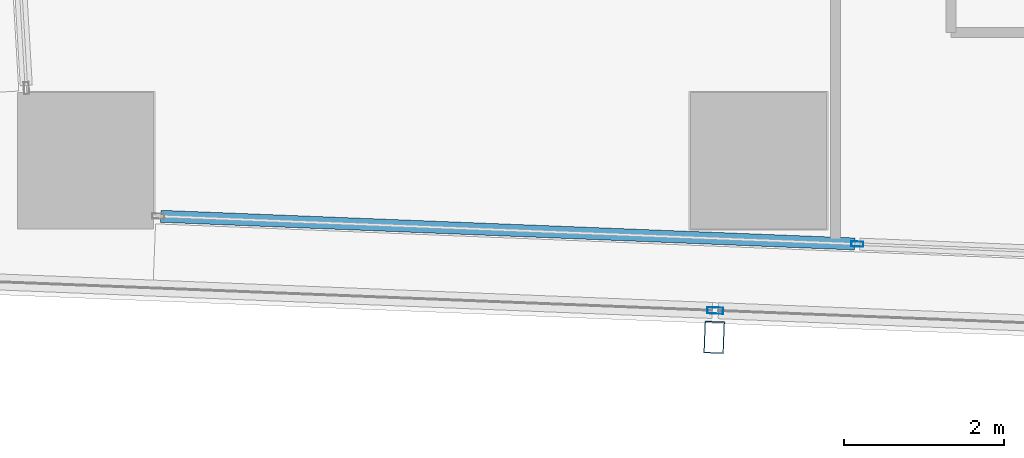
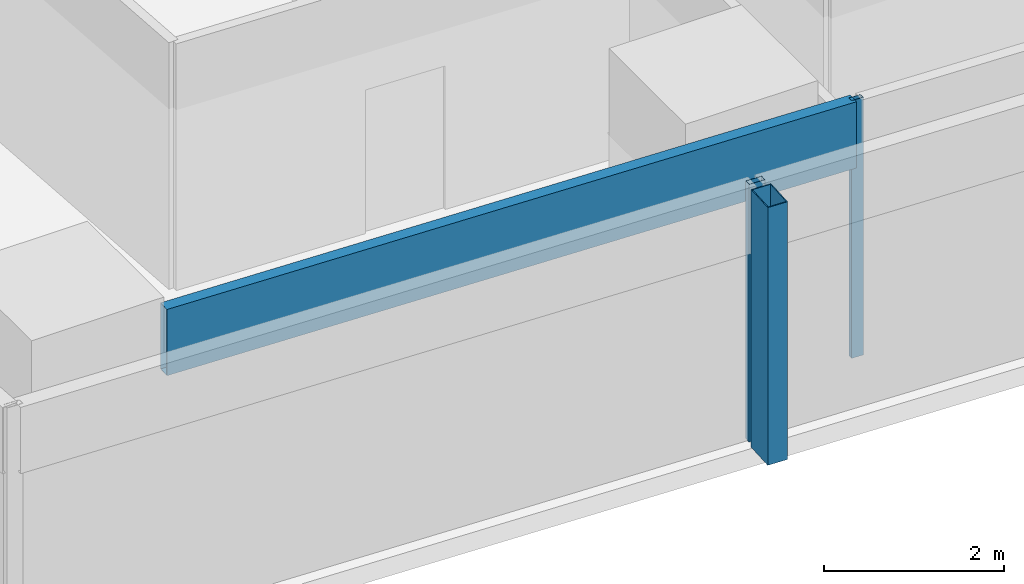
# One storey, part 3 of 39: 4 members, 2 elements without a shape of their own.
"""IFC4 building model written with IfcOpenShell, lengths in metres."""

from ifc_helpers import new_model, si_unit, direction, frame, origin, origin_2d, place, context, subcontext, project, spatial, hollow_rectangle, extrude, material, material_profile, profile_set, type_object, element, aggregate, save


model = new_model("IFC4")

# Units and contexts
model_context = context("Model", 3, precision=1e-05, world=origin(), true_north=direction((0.0, 1.0)))
body_context = subcontext(model_context, "Body", "Model", "MODEL_VIEW")
ifc_project = project(units=[si_unit("LENGTHUNIT", "METRE"), si_unit("AREAUNIT", "SQUARE_METRE"), si_unit("VOLUMEUNIT", "CUBIC_METRE"), si_unit("PLANEANGLEUNIT", "RADIAN"), si_unit("MASSUNIT", "GRAM", prefix="KILO")], contexts=[model_context])

# Site, building, storey
site_placement = place(None, origin())
site = spatial("IfcSite", under=ifc_project, at=site_placement, CompositionType="ELEMENT")
building_placement = place(site_placement, origin())
building = spatial("IfcBuilding", under=site, at=building_placement, Name="Rekha Terrace Tower", CompositionType="ELEMENT")
storey_placement = place(building_placement, frame((0.0, 0.0, 183.949951171875)))
storey = spatial("IfcBuildingStorey", under=building, at=storey_placement, Name="L46", CompositionType="ELEMENT", Elevation=183.949951171875)

# Curtain wall, member
ifc_material_1 = material(Name="Aluminium framing", Category="aluminium")
curtain_wall_type_1 = type_object("IfcCurtainWallType", Name="CW2 double skin outer glazing", PredefinedType="USERDEFINED", material=ifc_material_1)
curtain_wall_1_placement = place(storey_placement, origin())
curtain_wall_1 = element("IfcCurtainWall", 1, at=curtain_wall_1_placement, inside=storey, type_object=curtain_wall_type_1, Name="CW2 double skin outer glazing", ObjectType="DOUBLE SKIN OUTER GLAZING", PredefinedType="USERDEFINED")
ifc_material_2 = material(Name="Steel S355 with fluorocarbon finish", Category="steel")
ifc_material_profile_1 = material_profile(ifc_material_2, hollow_rectangle(XDim=0.25, YDim=0.39990234375, WallThickness=0.012451171875, at=origin_2d()), Name="RHS400x250x12.5")
ifc_profile_set_1 = profile_set([ifc_material_profile_1], Name="Steel S355 with fluorocarbon finish")
member_type_1 = type_object("IfcMemberType", Name="BL1 facade blade RHS 400 x 250", PredefinedType="USERDEFINED", material=ifc_profile_set_1)
member_1_placement = place(storey_placement, frame((16.24658203125, 14.595947265625, 0.0), z_axis=(0.0, 0.0, 1.0), x_axis=(0.999204797763, -0.039871946621, 0.0)))
member_1 = element("IfcMember", 2, at=member_1_placement, type_object=member_type_1, Name="Facade blade", ObjectType="FACADE BLADE", PredefinedType="USERDEFINED", context=body_context, shape_type="SweptSolid", body=[
    extrude(hollow_rectangle(XDim=0.25, YDim=0.39990234375, WallThickness=0.012451171875, at=origin_2d()), origin(), (0.0, 0.0, 1.0), 3.5),
])

# Curtain wall, members
curtain_wall_type_2 = type_object("IfcCurtainWallType", Name="CW1 double skin inner glazing", PredefinedType="USERDEFINED", material=ifc_material_1)
curtain_wall_2_placement = place(storey_placement, origin())
curtain_wall_2 = element("IfcCurtainWall", 3, at=curtain_wall_2_placement, inside=storey, type_object=curtain_wall_type_2, Name="CW1 double skin inner glazing", ObjectType="DOUBLE SKIN INNER GLAZING", PredefinedType="USERDEFINED")
ifc_material_3 = material(Name="Aluminium mullion section", Category="aluminium")
ifc_material_profile_2 = material_profile(ifc_material_3, hollow_rectangle(XDim=0.06494140625, YDim=0.14990234375, WallThickness=0.00390625, at=origin_2d()), Name="AL RHS 65x150")
ifc_profile_set_2 = profile_set([ifc_material_profile_2], Name="Aluminium mullion section")
member_type_2 = type_object("IfcMemberType", Name="CW1 mullion RHS 65 x 150", PredefinedType="MULLION", material=ifc_profile_set_2)
member_2_placement = place(storey_placement, frame((18.033203125, 15.760498046875, 0.0), z_axis=(0.0, 0.0, 1.0), x_axis=(0.039872497044, 0.999204775799, 0.0)))
member_2 = element("IfcMember", 4, at=member_2_placement, type_object=member_type_2, Name="CW1 mullion 2", PredefinedType="MULLION", context=body_context, shape_type="SweptSolid", body=[
    extrude(hollow_rectangle(XDim=0.06494140625, YDim=0.14990234375, WallThickness=0.00390625, at=origin_2d()), origin(), (0.0, 0.0, 1.0), 3.5),
])
ifc_material_4 = material(Name="Insulated aluminium spandrel box", Category="aluminium")
ifc_material_profile_3 = material_profile(ifc_material_4, hollow_rectangle(XDim=0.14990234375, YDim=0.89990234375, WallThickness=0.0029296875, at=origin_2d()), Name="AL SPANDREL BOX 150x900")
ifc_profile_set_3 = profile_set([ifc_material_profile_3], Name="Insulated aluminium spandrel box")
member_type_3 = type_object("IfcMemberType", Name="CW1 spandrel transom 150 x 900", PredefinedType="USERDEFINED", material=ifc_profile_set_3)
member_3_placement = place(storey_placement, frame((9.338623046875, 16.107421875, 3.050048828125), z_axis=(0.999205675486, -0.039849944499, 0.0), x_axis=(0.039849944499, 0.999205675486, 0.0)))
member_3 = element("IfcMember", 5, at=member_3_placement, type_object=member_type_3, Name="CW1 spandrel transom 1", ObjectType="TRANSOM", PredefinedType="USERDEFINED", context=body_context, shape_type="SweptSolid", body=[
    extrude(hollow_rectangle(XDim=0.14990234375, YDim=0.89990234375, WallThickness=0.0029296875, at=origin_2d()), origin(), (0.0, 0.0, 1.0), 8.6689453125),
])
aggregate(curtain_wall_2, [member_2, member_3])

# Member
ifc_material_profile_4 = material_profile(ifc_material_3, hollow_rectangle(XDim=0.080078125, YDim=0.199951171875, WallThickness=0.00390625, at=origin_2d()), Name="AL RHS 80x200")
ifc_profile_set_4 = profile_set([ifc_material_profile_4], Name="Aluminium mullion section")
member_type_4 = type_object("IfcMemberType", Name="CW2 mullion RHS 80 x 200", PredefinedType="MULLION", material=ifc_profile_set_4)
member_4_placement = place(storey_placement, frame((16.259765625, 14.9306640625, 0.0), z_axis=(0.0, 0.0, 1.0), x_axis=(0.039872497044, 0.999204775799, 0.0)))
member_4 = element("IfcMember", 6, at=member_4_placement, type_object=member_type_4, Name="CW2 mullion 2", PredefinedType="MULLION", context=body_context, shape_type="SweptSolid", body=[
    extrude(hollow_rectangle(XDim=0.080078125, YDim=0.199951171875, WallThickness=0.00390625, at=origin_2d()), origin(), (0.0, 0.0, 1.0), 3.5),
])

aggregate(curtain_wall_1, [member_4, member_1])

save(model, "model.ifc")
